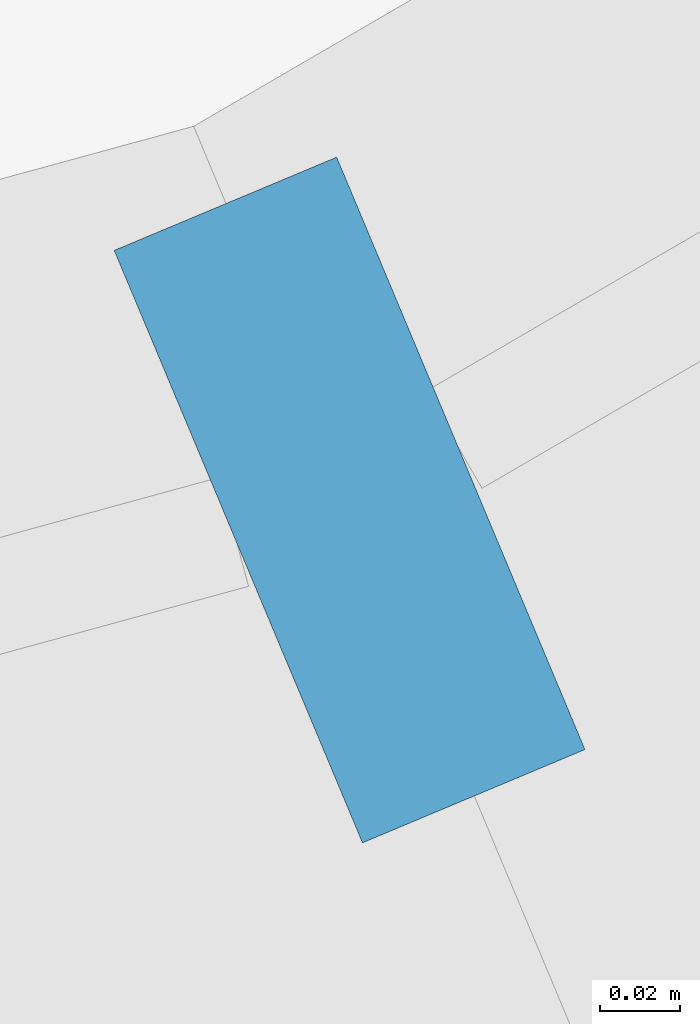
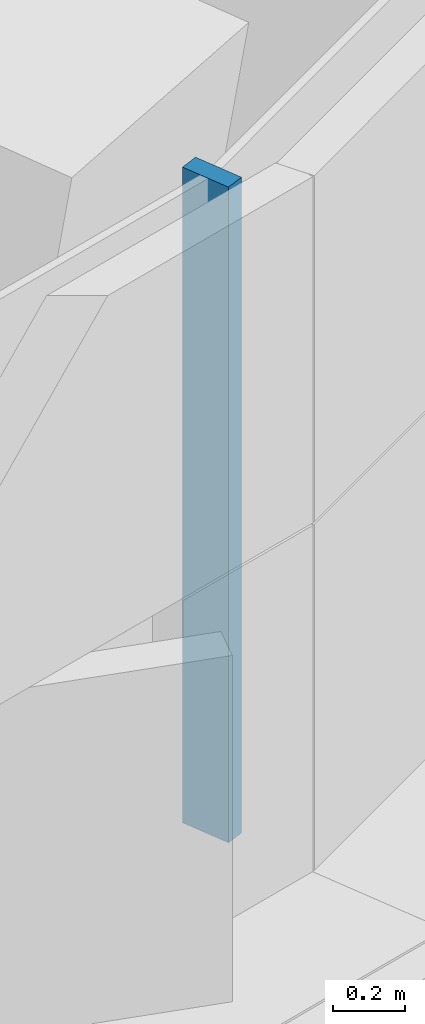
# One storey, part 2 of 35: 1 member, 1 element without a shape of its own.
"""IFC4 building model written with IfcOpenShell, lengths in metres."""

from ifc_helpers import new_model, si_unit, direction, frame, origin, origin_2d, place, context, subcontext, project, spatial, rectangle, extrude, material, layer, layer_set, material_profile, profile_set, type_object, element, aggregate, save


model = new_model("IFC4")

# Units and contexts
model_context = context("Model", 3, precision=1e-05, world=origin(), true_north=direction((0.0, 1.0)))
body_context = subcontext(model_context, "Body", "Model", "MODEL_VIEW")
ifc_project = project(units=[si_unit("LENGTHUNIT", "METRE"), si_unit("AREAUNIT", "SQUARE_METRE"), si_unit("VOLUMEUNIT", "CUBIC_METRE"), si_unit("PLANEANGLEUNIT", "RADIAN"), si_unit("MASSUNIT", "GRAM", prefix="KILO")], contexts=[model_context])

# Site, building, storey
site_placement = place(None, origin())
site = spatial("IfcSite", under=ifc_project, at=site_placement, CompositionType="ELEMENT")
building_placement = place(site_placement, origin())
building = spatial("IfcBuilding", under=site, at=building_placement, Name="Tamarind Cross Interchange Tower", CompositionType="ELEMENT")
storey_placement = place(building_placement, frame((0.0, 0.0, 144.25)))
storey = spatial("IfcBuildingStorey", under=building, at=storey_placement, Name="L35", CompositionType="ELEMENT", Elevation=144.25)

# Curtain wall, member
ifc_material = material(Name="Aluminium 6063-T6", Category="aluminium")
ifc_layer = layer(ifc_material, 0.159912109375)
ifc_layer_set = layer_set([ifc_layer], Name="Aluminium 6063-T6")
curtain_wall_type = type_object("IfcCurtainWallType", Name="Office curtain wall, 9.0 m bays", PredefinedType="NOTDEFINED", material=ifc_layer_set)
curtain_wall_placement = place(storey_placement, origin())
curtain_wall = element("IfcCurtainWall", 1, at=curtain_wall_placement, inside=storey, type_object=curtain_wall_type, Name="CWS-L35-01", PredefinedType="NOTDEFINED")
ifc_material_profile = material_profile(ifc_material, rectangle(XDim=0.06005859375, YDim=0.159912109375, at=origin_2d()), Name="Mullion CW1")
ifc_profile_set = profile_set([ifc_material_profile], Name="Aluminium 6063-T6")
member_type = type_object("IfcMemberType", Name="Mullion CW1", PredefinedType="MULLION", material=ifc_profile_set)
member_placement = place(storey_placement, frame((-40.661865234375, -18.780517578125, 1.39990234375), z_axis=(0.0, 0.0, 1.0), x_axis=(0.922273339553, 0.386538338525, 0.0)))
member = element("IfcMember", 2, at=member_placement, type_object=member_type, Name="CWM-L35-01-00", PredefinedType="MULLION", context=body_context, shape_type="SweptSolid", body=[
    extrude(rectangle(XDim=0.06005859375, YDim=0.159912109375, at=origin_2d()), origin(), (0.0, 0.0, 1.0), 2.210205078125),
])
aggregate(curtain_wall, [member])

save(model, "model.ifc")
